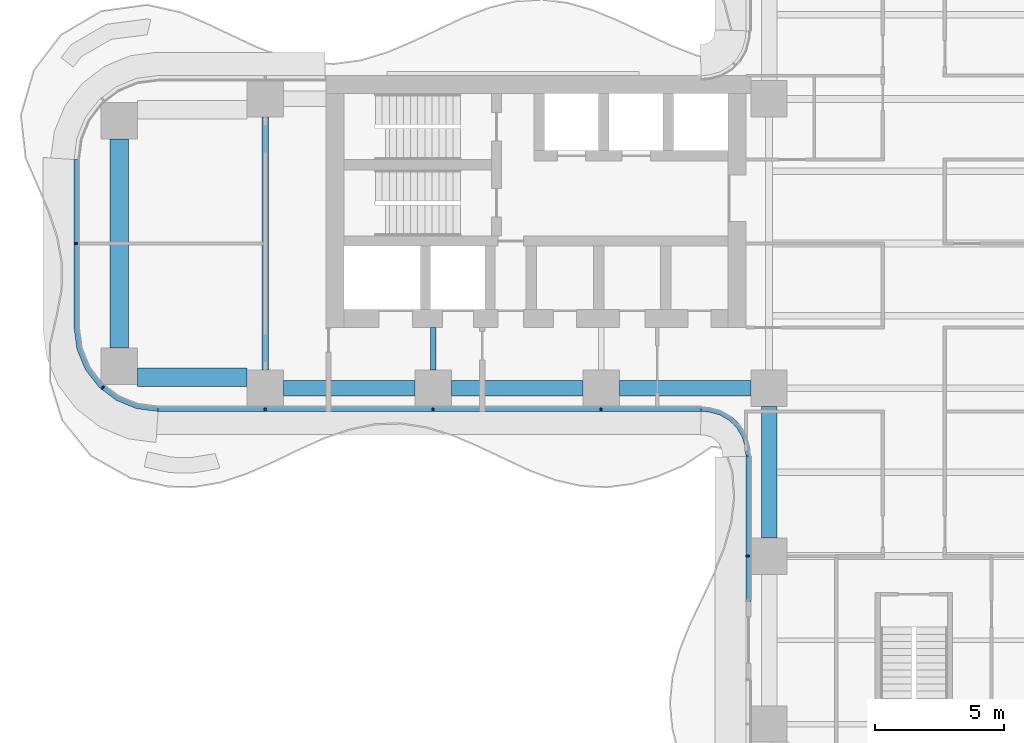
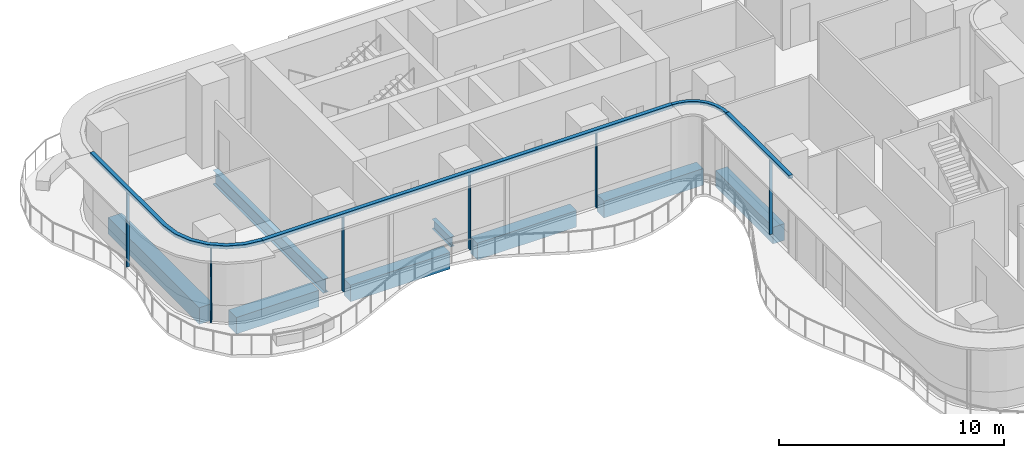
# One storey, part 3 of 22: 10 members, 8 beams, 4 elements without a shape of their own.
"""IFC4 building model written with IfcOpenShell, lengths in metres."""

from ifc_helpers import new_model, si_unit, direction, frame, origin, origin_2d, place, context, subcontext, project, spatial, polyline, rectangle, i_section, outline, extrude, source, transform, mapped, material, layer, layer_set, material_profile, profile_set, type_object, element, aggregate, save


model = new_model("IFC4")

# Units and contexts
model_context = context("Model", 3, precision=1e-05, world=origin(), true_north=direction((0.0, 1.0)))
body_context = subcontext(model_context, "Body", "Model", "MODEL_VIEW")
ifc_project = project(units=[si_unit("LENGTHUNIT", "METRE"), si_unit("AREAUNIT", "SQUARE_METRE"), si_unit("VOLUMEUNIT", "CUBIC_METRE"), si_unit("PLANEANGLEUNIT", "RADIAN"), si_unit("MASSUNIT", "GRAM", prefix="KILO")], contexts=[model_context])

# Site, building, storey
site_placement = place(None, origin())
site = spatial("IfcSite", under=ifc_project, at=site_placement, CompositionType="ELEMENT")
building_placement = place(site_placement, origin())
building = spatial("IfcBuilding", under=site, at=building_placement, Name="Trellis Farm Tower", CompositionType="ELEMENT")
storey_placement = place(building_placement, frame((0.0, 0.0, 65.5)))
storey = spatial("IfcBuildingStorey", under=building, at=storey_placement, Name="L13", CompositionType="ELEMENT", Elevation=65.5)

# Curtain wall, member
ifc_material_1 = material(Name="Aluminium and glass curtain wall", Category="aluminium")
ifc_layer_1 = layer(ifc_material_1, 0.18994140625)
ifc_layer_set_1 = layer_set([ifc_layer_1], Name="RIBBON CURTAIN WALL CW1")
curtain_wall_type_1 = type_object("IfcCurtainWallType", Name="RIBBON CURTAIN WALL CW1", PredefinedType="NOTDEFINED", material=ifc_layer_set_1)
placement_1 = place(storey_placement, origin())
curtain_wall_1 = element("IfcCurtainWall", 1, at=placement_1, inside=storey, type_object=curtain_wall_type_1, Name="CW1 002", PredefinedType="NOTDEFINED")
ifc_material_2 = material(Name="Aluminium extrusion 6063-T6", Category="aluminium")
ifc_layer_2 = layer(ifc_material_2, 0.199951171875)
ifc_layer_set_2 = layer_set([ifc_layer_2], Name="Aluminium extrusion 6063-T6")
member_type_1 = type_object("IfcMemberType", Name="CW1 TRANSOM 200x180", PredefinedType="USERDEFINED", material=ifc_layer_set_2)
placement_2 = place(storey_placement, frame((0.0, 0.0, 4.070068359375)))
member_1 = element("IfcMember", 2, at=placement_2, type_object=member_type_1, Name="TR1 002", ObjectType="TRANSOM", PredefinedType="USERDEFINED", context=body_context, shape_type="SweptSolid", body=[
    extrude(outline(polyline([(-6.5, -8.2314453125), (-6.5, -13.85009765625), (-6.300048828125, -13.85009765625), (-6.300048828125, -8.224853515625), (-6.5, -8.2314453125)])), origin(), (0.0, 0.0, 1.0), 0.179931640625),
])

# Beams
ifc_material_3 = material(Name="Concrete C60/75", Category="concrete")
ifc_material_profile_1 = material_profile(ifc_material_3, rectangle(XDim=0.60009765625, YDim=0.89990234375, at=origin_2d()), Name="RC spandrel beam 600x900 C60/75")
ifc_profile_set_1 = profile_set([ifc_material_profile_1], Name="Concrete C60/75")
beam_type_1 = type_object("IfcBeamType", Name="RC spandrel beam 600x900 C60/75", PredefinedType="SPANDREL", material=ifc_profile_set_1)
shared_shape_1 = source(origin(), body_context, "Body", "SweptSolid", [
    extrude(rectangle(XDim=0.60009765625, YDim=0.89990234375, at=origin_2d()), origin(), (0.0, 0.0, 1.0), 5.099853515625),
])
for number, where, z_axis, x_axis, name in (
    (3, (-24.39990234375, -5.60009765625, -0.699951171875), (1.0, 0.0, 0.0), (0.0, 1.0, 0.0), "Girder"),
    (4, (-17.89990234375, -5.60009765625, -0.699951171875), (1.0, 0.0, 0.0), (0.0, 1.0, 0.0), "Girder"),
    (5, (-11.39990234375, -5.60009765625, -0.699951171875), (1.0, 0.0, 0.0), (0.0, 1.0, 0.0), "Girder"),
    (6, (-5.60009765625, -11.39990234375, -0.699951171875), (0.0, 1.0, 0.0), (-1.0, 0.0, 0.0), "Girder"),
):
    element("IfcBeam", number, at=place(storey_placement, frame(where, z_axis=z_axis, x_axis=x_axis)), inside=storey, type_object=beam_type_1, Name=name, PredefinedType="SPANDREL", context=body_context, shape_type="MappedRepresentation", body=[
        mapped(shared_shape_1, transform((0.0, 0.0, 0.0))),
    ])
ifc_material_4 = material(Name="Steel S355", Category="steel")
ifc_material_profile_2 = material_profile(ifc_material_4, i_section(OverallWidth=0.2666015625, OverallDepth=0.76220703125, WebThickness=0.014404296875, FlangeThickness=0.021484375, FilletRadius=0.0166015625, at=origin_2d()), Name="UB 762x267x173")
ifc_profile_set_2 = profile_set([ifc_material_profile_2], Name="Steel S355")
beam_type_2 = type_object("IfcBeamType", Name="UB 762x267x173", PredefinedType="BEAM", material=ifc_profile_set_2)
shared_shape_2 = source(origin(), body_context, "Body", "SweptSolid", [
    extrude(i_section(OverallWidth=0.2666015625, OverallDepth=0.76220703125, WebThickness=0.014404296875, FlangeThickness=0.021484375, FilletRadius=0.0166015625, at=origin_2d()), origin(), (0.0, 0.0, 1.0), 9.7998046875),
])
beam_1_placement = place(storey_placement, frame((-25.10009765625, -4.89990234375, -0.631103515625), z_axis=(0.0, 1.0, 0.0), x_axis=(-1.0, 0.0, 0.0)))
element("IfcBeam", 7, at=beam_1_placement, inside=storey, type_object=beam_type_2, Name="Girder", PredefinedType="BEAM", context=body_context, shape_type="MappedRepresentation", body=[
    mapped(shared_shape_2, transform((0.0, 0.0, 0.0))),
])
ifc_material_profile_3 = material_profile(ifc_material_3, rectangle(XDim=0.699951171875, YDim=0.89990234375, at=origin_2d()), Name="RC spandrel beam 700x900 C60/75")
ifc_profile_set_3 = profile_set([ifc_material_profile_3], Name="Concrete C60/75")
beam_type_3 = type_object("IfcBeamType", Name="RC spandrel beam 700x900 C60/75", PredefinedType="SPANDREL", material=ifc_profile_set_3)
shared_shape_3 = source(origin(), body_context, "Body", "SweptSolid", [
    extrude(rectangle(XDim=0.699951171875, YDim=0.89990234375, at=origin_2d()), origin(), (0.0, 0.0, 1.0), 4.25),
])
beam_2_placement = place(storey_placement, frame((-30.050048828125, -5.175048828125, -0.699951171875), z_axis=(1.0, 0.0, 0.0), x_axis=(0.0, 1.0, 0.0)))
element("IfcBeam", 8, at=beam_2_placement, inside=storey, type_object=beam_type_3, Name="Girder", PredefinedType="SPANDREL", context=body_context, shape_type="MappedRepresentation", body=[
    mapped(shared_shape_3, transform((0.0, 0.0, 0.0))),
])
shared_shape_4 = source(origin(), body_context, "Body", "SweptSolid", [
    extrude(rectangle(XDim=0.699951171875, YDim=0.89990234375, at=origin_2d()), origin(), (0.0, 0.0, 1.0), 8.10009765625),
])
beam_3_placement = place(storey_placement, frame((-30.75, -4.050048828125, -0.699951171875), z_axis=(0.0, 1.0, 0.0), x_axis=(-1.0, 0.0, 0.0)))
element("IfcBeam", 9, at=beam_3_placement, inside=storey, type_object=beam_type_3, Name="Girder", PredefinedType="SPANDREL", context=body_context, shape_type="MappedRepresentation", body=[
    mapped(shared_shape_4, transform((0.0, 0.0, 0.0))),
])
ifc_material_profile_4 = material_profile(ifc_material_4, i_section(OverallWidth=0.209228515625, OverallDepth=0.533203125, WebThickness=0.010009765625, FlangeThickness=0.015625, FilletRadius=0.0126953125, at=origin_2d()), Name="UB 533x210x92")
ifc_profile_set_4 = profile_set([ifc_material_profile_4], Name="Steel S355")
beam_type_4 = type_object("IfcBeamType", Name="UB 533x210x92", PredefinedType="BEAM", material=ifc_profile_set_4)
shared_shape_5 = source(origin(), body_context, "Body", "SweptSolid", [
    extrude(i_section(OverallWidth=0.209228515625, OverallDepth=0.533203125, WebThickness=0.010009765625, FlangeThickness=0.015625, FilletRadius=0.0126953125, at=origin_2d()), origin(), (0.0, 0.0, 1.0), 1.64990234375),
])
beam_4_placement = place(storey_placement, frame((-18.60009765625, -4.89990234375, -0.5166015625), z_axis=(0.0, 1.0, 0.0), x_axis=(-1.0, 0.0, 0.0)))
element("IfcBeam", 10, at=beam_4_placement, inside=storey, type_object=beam_type_4, Name="Girder", PredefinedType="BEAM", context=body_context, shape_type="MappedRepresentation", body=[
    mapped(shared_shape_5, transform((0.0, 0.0, 0.0))),
])

# Curtain wall, members
curtain_wall_2 = element("IfcCurtainWall", 11, at=placement_1, inside=storey, type_object=curtain_wall_type_1, Name="CW1 001", PredefinedType="NOTDEFINED")
ifc_material_profile_5 = material_profile(ifc_material_2, rectangle(XDim=0.06005859375, YDim=0.14990234375, at=origin_2d()), Name="MULLION 60x150")
ifc_profile_set_5 = profile_set([ifc_material_profile_5], Name="Aluminium extrusion 6063-T6")
member_type_2 = type_object("IfcMemberType", Name="CW1 MULLION 60x150", PredefinedType="MULLION", material=ifc_profile_set_5)
shared_shape_6 = source(origin(), body_context, "Body", "SweptSolid", [
    extrude(rectangle(XDim=0.06005859375, YDim=0.14990234375, at=origin_2d()), origin(), (0.0, 0.0, 1.0), 4.070068359375),
])
member_2_placement = place(storey_placement, frame((-25.10009765625, -6.425048828125, 0.0), z_axis=(0.0, 0.0, 1.0), x_axis=(1.0, 0.0, 0.0)))
member_2 = element("IfcMember", 12, at=member_2_placement, type_object=member_type_2, Name="MU1 001-01", PredefinedType="MULLION", context=body_context, shape_type="MappedRepresentation", body=[
    mapped(shared_shape_6, transform((0.0, 0.0, 0.0))),
])
member_3_placement = place(storey_placement, frame((-18.60009765625, -6.425048828125, 0.0), z_axis=(0.0, 0.0, 1.0), x_axis=(1.0, 0.0, 0.0)))
member_3 = element("IfcMember", 13, at=member_3_placement, type_object=member_type_2, Name="MU1 001-02", PredefinedType="MULLION", context=body_context, shape_type="MappedRepresentation", body=[
    mapped(shared_shape_6, transform((0.0, 0.0, 0.0))),
])
member_4_placement = place(storey_placement, frame((-12.10009765625, -6.425048828125, 0.0), z_axis=(0.0, 0.0, 1.0), x_axis=(1.0, 0.0, 0.0)))
member_4 = element("IfcMember", 14, at=member_4_placement, type_object=member_type_2, Name="MU1 001-03", PredefinedType="MULLION", context=body_context, shape_type="MappedRepresentation", body=[
    mapped(shared_shape_6, transform((0.0, 0.0, 0.0))),
])

# Member
member_5_placement = place(storey_placement, frame((-6.425048828125, -12.10009765625, 0.0), z_axis=(0.0, 0.0, 1.0), x_axis=(0.0, -1.0, 0.0)))
member_5 = element("IfcMember", 15, at=member_5_placement, type_object=member_type_2, Name="MU1 002-01", PredefinedType="MULLION", context=body_context, shape_type="MappedRepresentation", body=[
    mapped(shared_shape_6, transform((0.0, 0.0, 0.0))),
])

aggregate(curtain_wall_1, [member_5, member_1])

# Curtain wall, members
curtain_wall_3 = element("IfcCurtainWall", 16, at=placement_1, inside=storey, type_object=curtain_wall_type_1, Name="CW1 013", PredefinedType="NOTDEFINED")
member_6_placement = place(storey_placement, frame((-32.425048828125, 0.0, 0.0), z_axis=(0.0, 0.0, 1.0), x_axis=(0.0, -1.0, 0.0)))
member_6 = element("IfcMember", 17, at=member_6_placement, type_object=member_type_2, Name="MU1 013-01", PredefinedType="MULLION", context=body_context, shape_type="MappedRepresentation", body=[
    mapped(shared_shape_6, transform((0.0, 0.0, 0.0))),
])
member_7_placement = place(storey_placement, frame((-31.385498046875, -5.578369140625, 0.0), z_axis=(0.0, 0.0, 1.0), x_axis=(0.793353340291, -0.608761429009, 0.0)))
member_7 = element("IfcMember", 18, at=member_7_placement, type_object=member_type_2, Name="MU1 013-02", PredefinedType="MULLION", context=body_context, shape_type="MappedRepresentation", body=[
    mapped(shared_shape_6, transform((0.0, 0.0, 0.0))),
])

# Member
shared_shape_7 = source(origin(), body_context, "Body", "SweptSolid", [
    extrude(outline(polyline([(-29.25, -6.5), (-8.2314453125, -6.5), (-8.224853515625, -6.300048828125), (-29.23681640625, -6.300048828125), (-29.25, -6.5)])), origin(), (0.0, 0.0, 1.0), 0.179931640625),
])
member_8 = element("IfcMember", 19, at=placement_2, type_object=member_type_1, Name="TR1 001", ObjectType="TRANSOM", PredefinedType="USERDEFINED", context=body_context, shape_type="MappedRepresentation", body=[
    mapped(shared_shape_7, transform((0.0, 0.0, 0.0))),
])

aggregate(curtain_wall_2, [member_2, member_3, member_4, member_8])

# Curtain wall, member
ifc_layer_3 = layer(ifc_material_1, 0.166015625)
ifc_layer_set_3 = layer_set([ifc_layer_3], Name="WINTER GARDEN CURTAIN WALL CW3")
curtain_wall_type_2 = type_object("IfcCurtainWallType", Name="WINTER GARDEN CURTAIN WALL CW3", PredefinedType="NOTDEFINED", material=ifc_layer_set_3)
curtain_wall_4 = element("IfcCurtainWall", 20, at=placement_1, inside=storey, type_object=curtain_wall_type_2, Name="CW3 001", PredefinedType="NOTDEFINED")
ifc_layer_4 = layer(ifc_material_2, 0.169921875)
ifc_layer_set_4 = layer_set([ifc_layer_4], Name="Aluminium extrusion 6063-T6")
member_type_3 = type_object("IfcMemberType", Name="CW3 TRANSOM 170x150", PredefinedType="USERDEFINED", material=ifc_layer_set_4)
shared_shape_8 = source(origin(), body_context, "Body", "SweptSolid", [
    extrude(outline(polyline([(-8.2314453125, -6.5), (-8.01953125, -6.513916015625), (-7.91552734375, -6.527587890625), (-7.508544921875, -6.63671875), (-7.144287109375, -6.846923828125), (-6.846923828125, -7.144287109375), (-6.63671875, -7.508544921875), (-6.527587890625, -7.91552734375), (-6.513916015625, -8.01953125), (-6.5, -8.2314453125), (-6.330078125, -8.225830078125), (-6.3447265625, -8.0029296875), (-6.360595703125, -7.88232421875), (-6.478271484375, -7.44287109375), (-6.7109375, -7.0400390625), (-7.0400390625, -6.7109375), (-7.44287109375, -6.478271484375), (-7.88232421875, -6.360595703125), (-8.0029296875, -6.3447265625), (-8.225830078125, -6.330078125), (-8.2314453125, -6.5)])), origin(), (0.0, 0.0, 1.0), 0.14990234375),
])
member_9_placement = place(storey_placement, frame((0.0, 0.0, 4.10009765625)))
member_9 = element("IfcMember", 21, at=member_9_placement, type_object=member_type_3, Name="TR3 001", ObjectType="TRANSOM", PredefinedType="USERDEFINED", context=body_context, shape_type="MappedRepresentation", body=[
    mapped(shared_shape_8, transform((0.0, 0.0, 0.0))),
])
aggregate(curtain_wall_4, [member_9])

# Member
shared_shape_9 = source(origin(), body_context, "Body", "SweptSolid", [
    extrude(outline(polyline([(-32.5, 3.25), (-32.5, -3.25), (-32.38916015625, -4.091064453125), (-32.064697265625, -4.875), (-31.548095703125, -5.548095703125), (-30.875, -6.064697265625), (-30.091064453125, -6.38916015625), (-29.25, -6.5), (-29.23681640625, -6.300048828125), (-30.0390625, -6.1943359375), (-30.774169921875, -5.889892578125), (-31.405517578125, -5.405517578125), (-31.889892578125, -4.774169921875), (-32.1943359375, -4.0390625), (-32.300048828125, -3.23681640625), (-32.300048828125, 3.23681640625), (-32.5, 3.25)])), origin(), (0.0, 0.0, 1.0), 0.179931640625),
])
member_10 = element("IfcMember", 22, at=placement_2, type_object=member_type_1, Name="TR1 013", ObjectType="TRANSOM", PredefinedType="USERDEFINED", context=body_context, shape_type="MappedRepresentation", body=[
    mapped(shared_shape_9, transform((0.0, 0.0, 0.0))),
])

aggregate(curtain_wall_3, [member_6, member_7, member_10])

save(model, "model.ifc")
